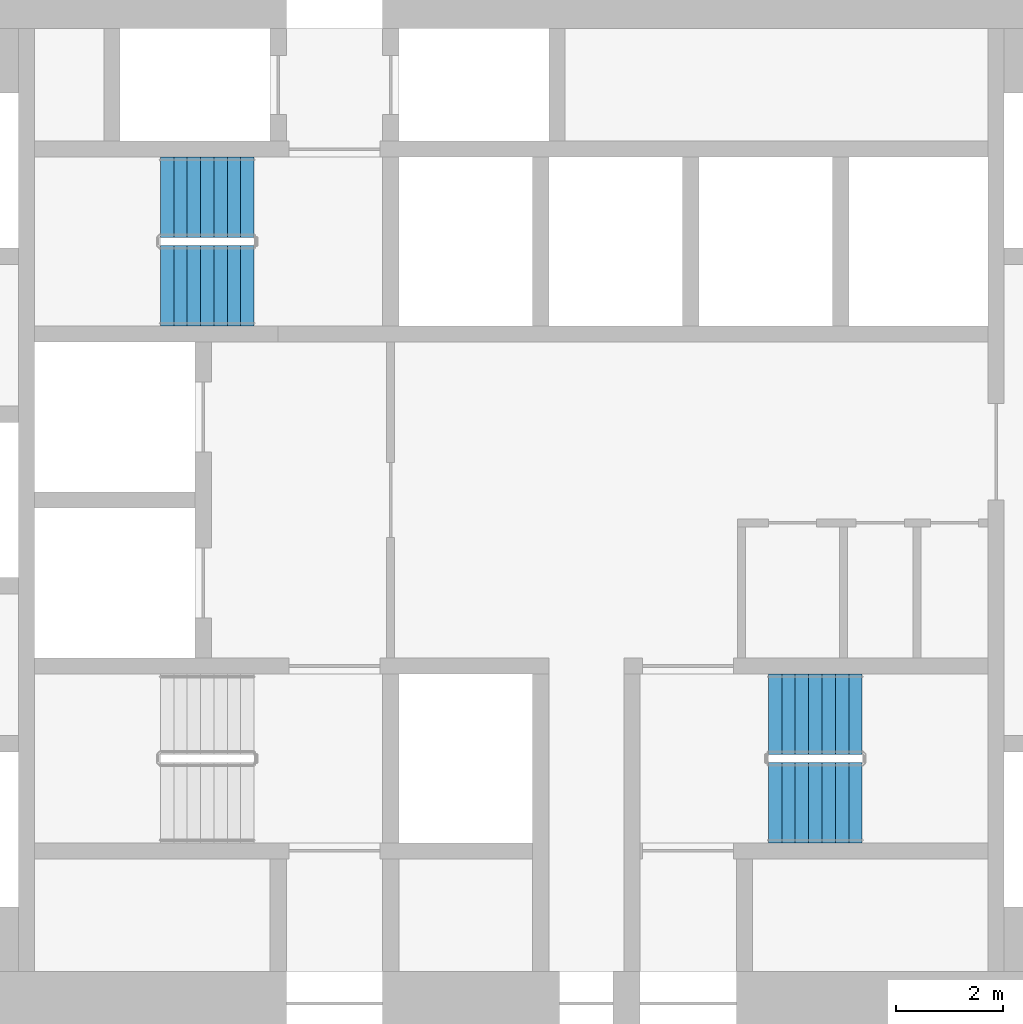
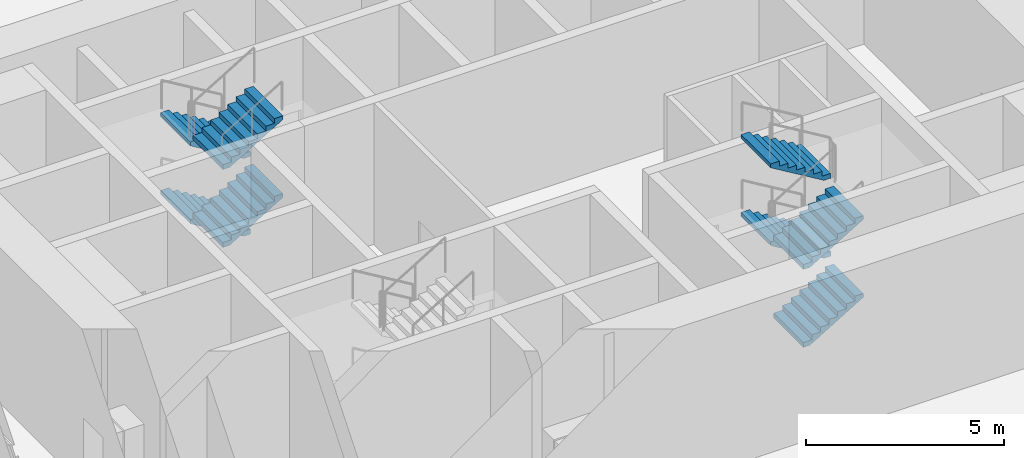
# One storey, part 10 of 11: 8 stair flights, 2 elements without a shape of their own.
"""IFC4 building model written with IfcOpenShell, lengths in metres."""

from ifc_helpers import new_model, si_unit, direction, frame, origin, place, context, subcontext, project, spatial, polyline, outline, extrude, material, type_object, element, aggregate, save


model = new_model("IFC4")

# Units and contexts
model_context = context("Model", 3, precision=1e-05, world=origin(), true_north=direction((0.0, 1.0)))
body_context = subcontext(model_context, "Body", "Model", "MODEL_VIEW")
ifc_project = project(units=[si_unit("LENGTHUNIT", "METRE"), si_unit("AREAUNIT", "SQUARE_METRE"), si_unit("VOLUMEUNIT", "CUBIC_METRE"), si_unit("PLANEANGLEUNIT", "RADIAN"), si_unit("MASSUNIT", "GRAM", prefix="KILO")], contexts=[model_context])

# Site, building, storey
site_placement = place(None, origin())
site = spatial("IfcSite", under=ifc_project, at=site_placement, CompositionType="ELEMENT")
building_placement = place(site_placement, origin())
building = spatial("IfcBuilding", under=site, at=building_placement, Name="Tracery Tower", CompositionType="ELEMENT")
storey_placement = place(building_placement, frame((0.0, 0.0, 23.39990234375)))
storey = spatial("IfcBuildingStorey", under=building, at=storey_placement, Name="L04", CompositionType="ELEMENT", Elevation=23.39990234375)

# Stair, stair flights
ifc_material_1 = material(Name="Concrete C32/40", Category="concrete")
stair_type = type_object("IfcStairType", Name="Core stair 32 risers", PredefinedType="HALF_TURN_STAIR", material=ifc_material_1)
stair_1_placement = place(storey_placement, origin())
stair_1 = element("IfcStair", 1, at=stair_1_placement, inside=storey, type_object=stair_type, Name="L04 stair ST3", PredefinedType="HALF_TURN_STAIR")
ifc_material_2 = material(Name="Concrete C32/40", Category="concrete")
stair_flight_type = type_object("IfcStairFlightType", Name="Core stair flight 8 risers", PredefinedType="STRAIGHT", material=ifc_material_2)
stair_flight_1_placement = place(storey_placement, frame((-4.800048828125, 5.64990234375, 0.0), z_axis=(0.0, 0.0, 1.0), x_axis=(-1.0, 0.0, 0.0)))
stair_flight_1 = element("IfcStairFlight", 2, at=stair_flight_1_placement, type_object=stair_flight_type, Name="ST3 flight 1", NumberOfRisers=8, NumberOfTreads=7, PredefinedType="STRAIGHT", RiserHeight=0.15, TreadLength=0.25, context=body_context, shape_type="SweptSolid", body=[
    extrude(outline(polyline([(0.0, 0.0), (0.0, 0.00244140625), (0.0, 0.0048828125), (0.0, 0.00732421875), (0.0, 0.009765625), (0.0, 0.01220703125), (0.0, 0.0146484375), (0.0, 0.017333984375), (0.0, 0.019775390625), (0.0, 0.022216796875), (0.0, 0.024658203125), (0.0, 0.027099609375), (0.0, 0.029541015625), (0.0, 0.031982421875), (0.0, 0.034423828125), (0.0, 0.036865234375), (0.0, 0.039306640625), (0.0, 0.041748046875), (0.0, 0.044189453125), (0.0, 0.046630859375), (0.0, 0.049072265625), (0.0, 0.0517578125), (0.0, 0.05419921875), (0.0, 0.056640625), (0.0, 0.05908203125), (0.0, 0.0615234375), (0.0, 0.06396484375), (0.0, 0.06640625), (0.0, 0.06884765625), (0.0, 0.0712890625), (0.0, 0.07373046875), (0.0, 0.076171875), (0.0, 0.07861328125), (0.0, 0.0810546875), (0.0, 0.08349609375), (0.0, 0.086181640625), (0.0, 0.088623046875), (0.0, 0.091064453125), (0.0, 0.093505859375), (0.0, 0.095947265625), (0.0, 0.098388671875), (0.0, 0.100830078125), (0.0, 0.103271484375), (0.0, 0.105712890625), (0.0, 0.108154296875), (0.0, 0.110595703125), (0.0, 0.113037109375), (0.0, 0.115478515625), (0.0, 0.117919921875), (0.0, 0.12060546875), (0.0, 0.123046875), (0.0, 0.12548828125), (0.0, 0.1279296875), (0.0, 0.13037109375), (0.0, 0.1328125), (0.0, 0.13525390625), (0.0, 0.1376953125), (0.0, 0.14013671875), (0.0, 0.142578125), (0.0, 0.14501953125), (0.0, 0.1474609375), (0.0, 0.14990234375), (0.25, 0.14990234375), (0.25, 0.300048828125), (0.5, 0.300048828125), (0.5, 0.449951171875), (0.75, 0.449951171875), (0.75, 0.60009765625), (1.0, 0.60009765625), (1.0, 0.75), (1.25, 0.75), (1.25, 0.89990234375), (1.5, 0.89990234375), (1.5, 1.050048828125), (1.75, 1.050048828125), (1.75, 1.048095703125), (1.75, 1.046142578125), (1.75, 1.044189453125), (1.75, 1.042236328125), (1.75, 1.04052734375), (1.75, 1.03857421875), (1.75, 1.03662109375), (1.75, 1.03466796875), (1.75, 1.03271484375), (1.75, 1.03076171875), (1.75, 1.029052734375), (1.75, 1.027099609375), (1.75, 1.025146484375), (1.75, 1.023193359375), (1.75, 1.021240234375), (1.75, 1.019287109375), (1.75, 1.017578125), (1.75, 1.015625), (1.75, 1.013671875), (1.75, 1.01171875), (1.75, 1.009765625), (1.75, 1.0078125), (1.75, 1.006103515625), (1.75, 1.004150390625), (1.75, 1.002197265625), (1.75, 1.000244140625), (1.75, 0.998291015625), (1.75, 0.996337890625), (1.75, 0.994384765625), (1.75, 0.99267578125), (1.75, 0.99072265625), (1.75, 0.98876953125), (1.75, 0.98681640625), (1.75, 0.98486328125), (1.75, 0.98291015625), (1.75, 0.981201171875), (1.75, 0.979248046875), (1.75, 0.977294921875), (1.75, 0.975341796875), (1.75, 0.973388671875), (1.75, 0.971435546875), (1.75, 0.9697265625), (1.75, 0.9677734375), (1.75, 0.9658203125), (1.75, 0.9638671875), (1.75, 0.9619140625), (1.75, 0.9599609375), (1.75, 0.958251953125), (1.75, 0.956298828125), (1.75, 0.954345703125), (1.75, 0.952392578125), (1.75, 0.950439453125), (1.75, 0.948486328125), (1.75, 0.94677734375), (1.75, 0.94482421875), (1.75, 0.94287109375), (1.75, 0.94091796875), (1.75, 0.93896484375), (1.75, 0.93701171875), (1.75, 0.935302734375), (1.75, 0.933349609375), (0.194580078125, 0.0), (0.0, 0.0)])), frame((0.0, 0.75, 0.0), z_axis=(0.0, -1.0, 0.0), x_axis=(1.0, 0.0, 0.0)), (0.0, 0.0, 1.0), 1.5),
])
stair_flight_2_placement = place(storey_placement, frame((-6.550048828125, 4.0, 1.2001953125), z_axis=(0.0, 0.0, 1.0), x_axis=(1.0, 0.0, 0.0)))
stair_flight_2 = element("IfcStairFlight", 3, at=stair_flight_2_placement, type_object=stair_flight_type, Name="ST3 flight 2", NumberOfRisers=8, NumberOfTreads=7, PredefinedType="STRAIGHT", RiserHeight=0.15, TreadLength=0.25, context=body_context, shape_type="SweptSolid", body=[
    extrude(outline(polyline([(0.0, 0.0), (0.0, 0.00244140625), (0.0, 0.0048828125), (0.0, 0.00732421875), (0.0, 0.009765625), (0.0, 0.01220703125), (0.0, 0.0146484375), (0.0, 0.017333984375), (0.0, 0.019775390625), (0.0, 0.022216796875), (0.0, 0.024658203125), (0.0, 0.027099609375), (0.0, 0.029541015625), (0.0, 0.031982421875), (0.0, 0.034423828125), (0.0, 0.036865234375), (0.0, 0.039306640625), (0.0, 0.041748046875), (0.0, 0.044189453125), (0.0, 0.046630859375), (0.0, 0.049072265625), (0.0, 0.0517578125), (0.0, 0.05419921875), (0.0, 0.056640625), (0.0, 0.05908203125), (0.0, 0.0615234375), (0.0, 0.06396484375), (0.0, 0.06640625), (0.0, 0.06884765625), (0.0, 0.0712890625), (0.0, 0.07373046875), (0.0, 0.076171875), (0.0, 0.07861328125), (0.0, 0.0810546875), (0.0, 0.08349609375), (0.0, 0.086181640625), (0.0, 0.088623046875), (0.0, 0.091064453125), (0.0, 0.093505859375), (0.0, 0.095947265625), (0.0, 0.098388671875), (0.0, 0.100830078125), (0.0, 0.103271484375), (0.0, 0.105712890625), (0.0, 0.108154296875), (0.0, 0.110595703125), (0.0, 0.113037109375), (0.0, 0.115478515625), (0.0, 0.117919921875), (0.0, 0.12060546875), (0.0, 0.123046875), (0.0, 0.12548828125), (0.0, 0.1279296875), (0.0, 0.13037109375), (0.0, 0.1328125), (0.0, 0.13525390625), (0.0, 0.1376953125), (0.0, 0.14013671875), (0.0, 0.142578125), (0.0, 0.14501953125), (0.0, 0.1474609375), (0.0, 0.14990234375), (0.25, 0.14990234375), (0.25, 0.300048828125), (0.5, 0.300048828125), (0.5, 0.449951171875), (0.75, 0.449951171875), (0.75, 0.60009765625), (1.0, 0.60009765625), (1.0, 0.75), (1.25, 0.75), (1.25, 0.89990234375), (1.5, 0.89990234375), (1.5, 1.050048828125), (1.75, 1.050048828125), (1.75, 1.048095703125), (1.75, 1.046142578125), (1.75, 1.044189453125), (1.75, 1.042236328125), (1.75, 1.04052734375), (1.75, 1.03857421875), (1.75, 1.03662109375), (1.75, 1.03466796875), (1.75, 1.03271484375), (1.75, 1.03076171875), (1.75, 1.029052734375), (1.75, 1.027099609375), (1.75, 1.025146484375), (1.75, 1.023193359375), (1.75, 1.021240234375), (1.75, 1.019287109375), (1.75, 1.017578125), (1.75, 1.015625), (1.75, 1.013671875), (1.75, 1.01171875), (1.75, 1.009765625), (1.75, 1.0078125), (1.75, 1.006103515625), (1.75, 1.004150390625), (1.75, 1.002197265625), (1.75, 1.000244140625), (1.75, 0.998291015625), (1.75, 0.996337890625), (1.75, 0.994384765625), (1.75, 0.99267578125), (1.75, 0.99072265625), (1.75, 0.98876953125), (1.75, 0.98681640625), (1.75, 0.98486328125), (1.75, 0.98291015625), (1.75, 0.981201171875), (1.75, 0.979248046875), (1.75, 0.977294921875), (1.75, 0.975341796875), (1.75, 0.973388671875), (1.75, 0.971435546875), (1.75, 0.9697265625), (1.75, 0.9677734375), (1.75, 0.9658203125), (1.75, 0.9638671875), (1.75, 0.9619140625), (1.75, 0.9599609375), (1.75, 0.958251953125), (1.75, 0.956298828125), (1.75, 0.954345703125), (1.75, 0.952392578125), (1.75, 0.950439453125), (1.75, 0.948486328125), (1.75, 0.94677734375), (1.75, 0.94482421875), (1.75, 0.94287109375), (1.75, 0.94091796875), (1.75, 0.93896484375), (1.75, 0.93701171875), (1.75, 0.935302734375), (1.75, 0.933349609375), (0.194580078125, 0.0), (0.0, 0.0)])), frame((0.0, 0.75, 0.0), z_axis=(0.0, -1.0, 0.0), x_axis=(1.0, 0.0, 0.0)), (0.0, 0.0, 1.0), 1.5),
])
stair_flight_3_placement = place(storey_placement, frame((-4.800048828125, 5.64990234375, 2.400146484375), z_axis=(0.0, 0.0, 1.0), x_axis=(-1.0, 0.0, 0.0)))
stair_flight_3 = element("IfcStairFlight", 4, at=stair_flight_3_placement, type_object=stair_flight_type, Name="ST3 flight 3", NumberOfRisers=8, NumberOfTreads=7, PredefinedType="STRAIGHT", RiserHeight=0.15, TreadLength=0.25, context=body_context, shape_type="SweptSolid", body=[
    extrude(outline(polyline([(0.0, 0.0), (0.0, 0.00244140625), (0.0, 0.0048828125), (0.0, 0.00732421875), (0.0, 0.009765625), (0.0, 0.01220703125), (0.0, 0.0146484375), (0.0, 0.017333984375), (0.0, 0.019775390625), (0.0, 0.022216796875), (0.0, 0.024658203125), (0.0, 0.027099609375), (0.0, 0.029541015625), (0.0, 0.031982421875), (0.0, 0.034423828125), (0.0, 0.036865234375), (0.0, 0.039306640625), (0.0, 0.041748046875), (0.0, 0.044189453125), (0.0, 0.046630859375), (0.0, 0.049072265625), (0.0, 0.0517578125), (0.0, 0.05419921875), (0.0, 0.056640625), (0.0, 0.05908203125), (0.0, 0.0615234375), (0.0, 0.06396484375), (0.0, 0.06640625), (0.0, 0.06884765625), (0.0, 0.0712890625), (0.0, 0.07373046875), (0.0, 0.076171875), (0.0, 0.07861328125), (0.0, 0.0810546875), (0.0, 0.08349609375), (0.0, 0.086181640625), (0.0, 0.088623046875), (0.0, 0.091064453125), (0.0, 0.093505859375), (0.0, 0.095947265625), (0.0, 0.098388671875), (0.0, 0.100830078125), (0.0, 0.103271484375), (0.0, 0.105712890625), (0.0, 0.108154296875), (0.0, 0.110595703125), (0.0, 0.113037109375), (0.0, 0.115478515625), (0.0, 0.117919921875), (0.0, 0.12060546875), (0.0, 0.123046875), (0.0, 0.12548828125), (0.0, 0.1279296875), (0.0, 0.13037109375), (0.0, 0.1328125), (0.0, 0.13525390625), (0.0, 0.1376953125), (0.0, 0.14013671875), (0.0, 0.142578125), (0.0, 0.14501953125), (0.0, 0.1474609375), (0.0, 0.14990234375), (0.25, 0.14990234375), (0.25, 0.300048828125), (0.5, 0.300048828125), (0.5, 0.449951171875), (0.75, 0.449951171875), (0.75, 0.60009765625), (1.0, 0.60009765625), (1.0, 0.75), (1.25, 0.75), (1.25, 0.89990234375), (1.5, 0.89990234375), (1.5, 1.050048828125), (1.75, 1.050048828125), (1.75, 1.048095703125), (1.75, 1.046142578125), (1.75, 1.044189453125), (1.75, 1.042236328125), (1.75, 1.04052734375), (1.75, 1.03857421875), (1.75, 1.03662109375), (1.75, 1.03466796875), (1.75, 1.03271484375), (1.75, 1.03076171875), (1.75, 1.029052734375), (1.75, 1.027099609375), (1.75, 1.025146484375), (1.75, 1.023193359375), (1.75, 1.021240234375), (1.75, 1.019287109375), (1.75, 1.017578125), (1.75, 1.015625), (1.75, 1.013671875), (1.75, 1.01171875), (1.75, 1.009765625), (1.75, 1.0078125), (1.75, 1.006103515625), (1.75, 1.004150390625), (1.75, 1.002197265625), (1.75, 1.000244140625), (1.75, 0.998291015625), (1.75, 0.996337890625), (1.75, 0.994384765625), (1.75, 0.99267578125), (1.75, 0.99072265625), (1.75, 0.98876953125), (1.75, 0.98681640625), (1.75, 0.98486328125), (1.75, 0.98291015625), (1.75, 0.981201171875), (1.75, 0.979248046875), (1.75, 0.977294921875), (1.75, 0.975341796875), (1.75, 0.973388671875), (1.75, 0.971435546875), (1.75, 0.9697265625), (1.75, 0.9677734375), (1.75, 0.9658203125), (1.75, 0.9638671875), (1.75, 0.9619140625), (1.75, 0.9599609375), (1.75, 0.958251953125), (1.75, 0.956298828125), (1.75, 0.954345703125), (1.75, 0.952392578125), (1.75, 0.950439453125), (1.75, 0.948486328125), (1.75, 0.94677734375), (1.75, 0.94482421875), (1.75, 0.94287109375), (1.75, 0.94091796875), (1.75, 0.93896484375), (1.75, 0.93701171875), (1.75, 0.935302734375), (1.75, 0.933349609375), (0.194580078125, 0.0), (0.0, 0.0)])), frame((0.0, 0.75, 0.0), z_axis=(0.0, -1.0, 0.0), x_axis=(1.0, 0.0, 0.0)), (0.0, 0.0, 1.0), 1.5),
])
stair_flight_4_placement = place(storey_placement, frame((-6.550048828125, 4.0, 3.60009765625), z_axis=(0.0, 0.0, 1.0), x_axis=(1.0, 0.0, 0.0)))
stair_flight_4 = element("IfcStairFlight", 5, at=stair_flight_4_placement, type_object=stair_flight_type, Name="ST3 flight 4", NumberOfRisers=8, NumberOfTreads=7, PredefinedType="STRAIGHT", RiserHeight=0.15, TreadLength=0.25, context=body_context, shape_type="SweptSolid", body=[
    extrude(outline(polyline([(0.0, 0.0), (0.0, 0.00244140625), (0.0, 0.0048828125), (0.0, 0.00732421875), (0.0, 0.009765625), (0.0, 0.01220703125), (0.0, 0.0146484375), (0.0, 0.017333984375), (0.0, 0.019775390625), (0.0, 0.022216796875), (0.0, 0.024658203125), (0.0, 0.027099609375), (0.0, 0.029541015625), (0.0, 0.031982421875), (0.0, 0.034423828125), (0.0, 0.036865234375), (0.0, 0.039306640625), (0.0, 0.041748046875), (0.0, 0.044189453125), (0.0, 0.046630859375), (0.0, 0.049072265625), (0.0, 0.0517578125), (0.0, 0.05419921875), (0.0, 0.056640625), (0.0, 0.05908203125), (0.0, 0.0615234375), (0.0, 0.06396484375), (0.0, 0.06640625), (0.0, 0.06884765625), (0.0, 0.0712890625), (0.0, 0.07373046875), (0.0, 0.076171875), (0.0, 0.07861328125), (0.0, 0.0810546875), (0.0, 0.08349609375), (0.0, 0.086181640625), (0.0, 0.088623046875), (0.0, 0.091064453125), (0.0, 0.093505859375), (0.0, 0.095947265625), (0.0, 0.098388671875), (0.0, 0.100830078125), (0.0, 0.103271484375), (0.0, 0.105712890625), (0.0, 0.108154296875), (0.0, 0.110595703125), (0.0, 0.113037109375), (0.0, 0.115478515625), (0.0, 0.117919921875), (0.0, 0.12060546875), (0.0, 0.123046875), (0.0, 0.12548828125), (0.0, 0.1279296875), (0.0, 0.13037109375), (0.0, 0.1328125), (0.0, 0.13525390625), (0.0, 0.1376953125), (0.0, 0.14013671875), (0.0, 0.142578125), (0.0, 0.14501953125), (0.0, 0.1474609375), (0.0, 0.14990234375), (0.25, 0.14990234375), (0.25, 0.300048828125), (0.5, 0.300048828125), (0.5, 0.449951171875), (0.75, 0.449951171875), (0.75, 0.60009765625), (1.0, 0.60009765625), (1.0, 0.75), (1.25, 0.75), (1.25, 0.89990234375), (1.5, 0.89990234375), (1.5, 1.050048828125), (1.75, 1.050048828125), (1.75, 1.048095703125), (1.75, 1.046142578125), (1.75, 1.044189453125), (1.75, 1.042236328125), (1.75, 1.04052734375), (1.75, 1.03857421875), (1.75, 1.03662109375), (1.75, 1.03466796875), (1.75, 1.03271484375), (1.75, 1.03076171875), (1.75, 1.029052734375), (1.75, 1.027099609375), (1.75, 1.025146484375), (1.75, 1.023193359375), (1.75, 1.021240234375), (1.75, 1.019287109375), (1.75, 1.017578125), (1.75, 1.015625), (1.75, 1.013671875), (1.75, 1.01171875), (1.75, 1.009765625), (1.75, 1.0078125), (1.75, 1.006103515625), (1.75, 1.004150390625), (1.75, 1.002197265625), (1.75, 1.000244140625), (1.75, 0.998291015625), (1.75, 0.996337890625), (1.75, 0.994384765625), (1.75, 0.99267578125), (1.75, 0.99072265625), (1.75, 0.98876953125), (1.75, 0.98681640625), (1.75, 0.98486328125), (1.75, 0.98291015625), (1.75, 0.981201171875), (1.75, 0.979248046875), (1.75, 0.977294921875), (1.75, 0.975341796875), (1.75, 0.973388671875), (1.75, 0.971435546875), (1.75, 0.9697265625), (1.75, 0.9677734375), (1.75, 0.9658203125), (1.75, 0.9638671875), (1.75, 0.9619140625), (1.75, 0.9599609375), (1.75, 0.958251953125), (1.75, 0.956298828125), (1.75, 0.954345703125), (1.75, 0.952392578125), (1.75, 0.950439453125), (1.75, 0.948486328125), (1.75, 0.94677734375), (1.75, 0.94482421875), (1.75, 0.94287109375), (1.75, 0.94091796875), (1.75, 0.93896484375), (1.75, 0.93701171875), (1.75, 0.935302734375), (1.75, 0.933349609375), (0.194580078125, 0.0), (0.0, 0.0)])), frame((0.0, 0.75, 0.0), z_axis=(0.0, -1.0, 0.0), x_axis=(1.0, 0.0, 0.0)), (0.0, 0.0, 1.0), 1.5),
])
aggregate(stair_1, [stair_flight_1, stair_flight_2, stair_flight_3, stair_flight_4])

stair_2_placement = place(storey_placement, origin())
stair_2 = element("IfcStair", 6, at=stair_2_placement, inside=storey, type_object=stair_type, Name="L04 stair ST2", PredefinedType="HALF_TURN_STAIR")
stair_flight_5_placement = place(storey_placement, frame((4.800048828125, -5.64990234375, 0.0), z_axis=(0.0, 0.0, 1.0), x_axis=(1.0, 0.0, 0.0)))
stair_flight_5 = element("IfcStairFlight", 7, at=stair_flight_5_placement, type_object=stair_flight_type, Name="ST2 flight 1", NumberOfRisers=8, NumberOfTreads=7, PredefinedType="STRAIGHT", RiserHeight=0.15, TreadLength=0.25, context=body_context, shape_type="SweptSolid", body=[
    extrude(outline(polyline([(0.0, 0.0), (0.0, 0.00244140625), (0.0, 0.0048828125), (0.0, 0.00732421875), (0.0, 0.009765625), (0.0, 0.01220703125), (0.0, 0.0146484375), (0.0, 0.017333984375), (0.0, 0.019775390625), (0.0, 0.022216796875), (0.0, 0.024658203125), (0.0, 0.027099609375), (0.0, 0.029541015625), (0.0, 0.031982421875), (0.0, 0.034423828125), (0.0, 0.036865234375), (0.0, 0.039306640625), (0.0, 0.041748046875), (0.0, 0.044189453125), (0.0, 0.046630859375), (0.0, 0.049072265625), (0.0, 0.0517578125), (0.0, 0.05419921875), (0.0, 0.056640625), (0.0, 0.05908203125), (0.0, 0.0615234375), (0.0, 0.06396484375), (0.0, 0.06640625), (0.0, 0.06884765625), (0.0, 0.0712890625), (0.0, 0.07373046875), (0.0, 0.076171875), (0.0, 0.07861328125), (0.0, 0.0810546875), (0.0, 0.08349609375), (0.0, 0.086181640625), (0.0, 0.088623046875), (0.0, 0.091064453125), (0.0, 0.093505859375), (0.0, 0.095947265625), (0.0, 0.098388671875), (0.0, 0.100830078125), (0.0, 0.103271484375), (0.0, 0.105712890625), (0.0, 0.108154296875), (0.0, 0.110595703125), (0.0, 0.113037109375), (0.0, 0.115478515625), (0.0, 0.117919921875), (0.0, 0.12060546875), (0.0, 0.123046875), (0.0, 0.12548828125), (0.0, 0.1279296875), (0.0, 0.13037109375), (0.0, 0.1328125), (0.0, 0.13525390625), (0.0, 0.1376953125), (0.0, 0.14013671875), (0.0, 0.142578125), (0.0, 0.14501953125), (0.0, 0.1474609375), (0.0, 0.14990234375), (0.25, 0.14990234375), (0.25, 0.300048828125), (0.5, 0.300048828125), (0.5, 0.449951171875), (0.75, 0.449951171875), (0.75, 0.60009765625), (1.0, 0.60009765625), (1.0, 0.75), (1.25, 0.75), (1.25, 0.89990234375), (1.5, 0.89990234375), (1.5, 1.050048828125), (1.75, 1.050048828125), (1.75, 1.048095703125), (1.75, 1.046142578125), (1.75, 1.044189453125), (1.75, 1.042236328125), (1.75, 1.04052734375), (1.75, 1.03857421875), (1.75, 1.03662109375), (1.75, 1.03466796875), (1.75, 1.03271484375), (1.75, 1.03076171875), (1.75, 1.029052734375), (1.75, 1.027099609375), (1.75, 1.025146484375), (1.75, 1.023193359375), (1.75, 1.021240234375), (1.75, 1.019287109375), (1.75, 1.017578125), (1.75, 1.015625), (1.75, 1.013671875), (1.75, 1.01171875), (1.75, 1.009765625), (1.75, 1.0078125), (1.75, 1.006103515625), (1.75, 1.004150390625), (1.75, 1.002197265625), (1.75, 1.000244140625), (1.75, 0.998291015625), (1.75, 0.996337890625), (1.75, 0.994384765625), (1.75, 0.99267578125), (1.75, 0.99072265625), (1.75, 0.98876953125), (1.75, 0.98681640625), (1.75, 0.98486328125), (1.75, 0.98291015625), (1.75, 0.981201171875), (1.75, 0.979248046875), (1.75, 0.977294921875), (1.75, 0.975341796875), (1.75, 0.973388671875), (1.75, 0.971435546875), (1.75, 0.9697265625), (1.75, 0.9677734375), (1.75, 0.9658203125), (1.75, 0.9638671875), (1.75, 0.9619140625), (1.75, 0.9599609375), (1.75, 0.958251953125), (1.75, 0.956298828125), (1.75, 0.954345703125), (1.75, 0.952392578125), (1.75, 0.950439453125), (1.75, 0.948486328125), (1.75, 0.94677734375), (1.75, 0.94482421875), (1.75, 0.94287109375), (1.75, 0.94091796875), (1.75, 0.93896484375), (1.75, 0.93701171875), (1.75, 0.935302734375), (1.75, 0.933349609375), (0.194580078125, 0.0), (0.0, 0.0)])), frame((0.0, 0.75, 0.0), z_axis=(0.0, -1.0, 0.0), x_axis=(1.0, 0.0, 0.0)), (0.0, 0.0, 1.0), 1.5),
])
stair_flight_6_placement = place(storey_placement, frame((6.550048828125, -4.0, 1.2001953125), z_axis=(0.0, 0.0, 1.0), x_axis=(-1.0, 0.0, 0.0)))
stair_flight_6 = element("IfcStairFlight", 8, at=stair_flight_6_placement, type_object=stair_flight_type, Name="ST2 flight 2", NumberOfRisers=8, NumberOfTreads=7, PredefinedType="STRAIGHT", RiserHeight=0.15, TreadLength=0.25, context=body_context, shape_type="SweptSolid", body=[
    extrude(outline(polyline([(0.0, 0.0), (0.0, 0.00244140625), (0.0, 0.0048828125), (0.0, 0.00732421875), (0.0, 0.009765625), (0.0, 0.01220703125), (0.0, 0.0146484375), (0.0, 0.017333984375), (0.0, 0.019775390625), (0.0, 0.022216796875), (0.0, 0.024658203125), (0.0, 0.027099609375), (0.0, 0.029541015625), (0.0, 0.031982421875), (0.0, 0.034423828125), (0.0, 0.036865234375), (0.0, 0.039306640625), (0.0, 0.041748046875), (0.0, 0.044189453125), (0.0, 0.046630859375), (0.0, 0.049072265625), (0.0, 0.0517578125), (0.0, 0.05419921875), (0.0, 0.056640625), (0.0, 0.05908203125), (0.0, 0.0615234375), (0.0, 0.06396484375), (0.0, 0.06640625), (0.0, 0.06884765625), (0.0, 0.0712890625), (0.0, 0.07373046875), (0.0, 0.076171875), (0.0, 0.07861328125), (0.0, 0.0810546875), (0.0, 0.08349609375), (0.0, 0.086181640625), (0.0, 0.088623046875), (0.0, 0.091064453125), (0.0, 0.093505859375), (0.0, 0.095947265625), (0.0, 0.098388671875), (0.0, 0.100830078125), (0.0, 0.103271484375), (0.0, 0.105712890625), (0.0, 0.108154296875), (0.0, 0.110595703125), (0.0, 0.113037109375), (0.0, 0.115478515625), (0.0, 0.117919921875), (0.0, 0.12060546875), (0.0, 0.123046875), (0.0, 0.12548828125), (0.0, 0.1279296875), (0.0, 0.13037109375), (0.0, 0.1328125), (0.0, 0.13525390625), (0.0, 0.1376953125), (0.0, 0.14013671875), (0.0, 0.142578125), (0.0, 0.14501953125), (0.0, 0.1474609375), (0.0, 0.14990234375), (0.25, 0.14990234375), (0.25, 0.300048828125), (0.5, 0.300048828125), (0.5, 0.449951171875), (0.75, 0.449951171875), (0.75, 0.60009765625), (1.0, 0.60009765625), (1.0, 0.75), (1.25, 0.75), (1.25, 0.89990234375), (1.5, 0.89990234375), (1.5, 1.050048828125), (1.75, 1.050048828125), (1.75, 1.048095703125), (1.75, 1.046142578125), (1.75, 1.044189453125), (1.75, 1.042236328125), (1.75, 1.04052734375), (1.75, 1.03857421875), (1.75, 1.03662109375), (1.75, 1.03466796875), (1.75, 1.03271484375), (1.75, 1.03076171875), (1.75, 1.029052734375), (1.75, 1.027099609375), (1.75, 1.025146484375), (1.75, 1.023193359375), (1.75, 1.021240234375), (1.75, 1.019287109375), (1.75, 1.017578125), (1.75, 1.015625), (1.75, 1.013671875), (1.75, 1.01171875), (1.75, 1.009765625), (1.75, 1.0078125), (1.75, 1.006103515625), (1.75, 1.004150390625), (1.75, 1.002197265625), (1.75, 1.000244140625), (1.75, 0.998291015625), (1.75, 0.996337890625), (1.75, 0.994384765625), (1.75, 0.99267578125), (1.75, 0.99072265625), (1.75, 0.98876953125), (1.75, 0.98681640625), (1.75, 0.98486328125), (1.75, 0.98291015625), (1.75, 0.981201171875), (1.75, 0.979248046875), (1.75, 0.977294921875), (1.75, 0.975341796875), (1.75, 0.973388671875), (1.75, 0.971435546875), (1.75, 0.9697265625), (1.75, 0.9677734375), (1.75, 0.9658203125), (1.75, 0.9638671875), (1.75, 0.9619140625), (1.75, 0.9599609375), (1.75, 0.958251953125), (1.75, 0.956298828125), (1.75, 0.954345703125), (1.75, 0.952392578125), (1.75, 0.950439453125), (1.75, 0.948486328125), (1.75, 0.94677734375), (1.75, 0.94482421875), (1.75, 0.94287109375), (1.75, 0.94091796875), (1.75, 0.93896484375), (1.75, 0.93701171875), (1.75, 0.935302734375), (1.75, 0.933349609375), (0.194580078125, 0.0), (0.0, 0.0)])), frame((0.0, 0.75, 0.0), z_axis=(0.0, -1.0, 0.0), x_axis=(1.0, 0.0, 0.0)), (0.0, 0.0, 1.0), 1.5),
])
stair_flight_7_placement = place(storey_placement, frame((4.800048828125, -5.64990234375, 2.400146484375), z_axis=(0.0, 0.0, 1.0), x_axis=(1.0, 0.0, 0.0)))
stair_flight_7 = element("IfcStairFlight", 9, at=stair_flight_7_placement, type_object=stair_flight_type, Name="ST2 flight 3", NumberOfRisers=8, NumberOfTreads=7, PredefinedType="STRAIGHT", RiserHeight=0.15, TreadLength=0.25, context=body_context, shape_type="SweptSolid", body=[
    extrude(outline(polyline([(0.0, 0.0), (0.0, 0.00244140625), (0.0, 0.0048828125), (0.0, 0.00732421875), (0.0, 0.009765625), (0.0, 0.01220703125), (0.0, 0.0146484375), (0.0, 0.017333984375), (0.0, 0.019775390625), (0.0, 0.022216796875), (0.0, 0.024658203125), (0.0, 0.027099609375), (0.0, 0.029541015625), (0.0, 0.031982421875), (0.0, 0.034423828125), (0.0, 0.036865234375), (0.0, 0.039306640625), (0.0, 0.041748046875), (0.0, 0.044189453125), (0.0, 0.046630859375), (0.0, 0.049072265625), (0.0, 0.0517578125), (0.0, 0.05419921875), (0.0, 0.056640625), (0.0, 0.05908203125), (0.0, 0.0615234375), (0.0, 0.06396484375), (0.0, 0.06640625), (0.0, 0.06884765625), (0.0, 0.0712890625), (0.0, 0.07373046875), (0.0, 0.076171875), (0.0, 0.07861328125), (0.0, 0.0810546875), (0.0, 0.08349609375), (0.0, 0.086181640625), (0.0, 0.088623046875), (0.0, 0.091064453125), (0.0, 0.093505859375), (0.0, 0.095947265625), (0.0, 0.098388671875), (0.0, 0.100830078125), (0.0, 0.103271484375), (0.0, 0.105712890625), (0.0, 0.108154296875), (0.0, 0.110595703125), (0.0, 0.113037109375), (0.0, 0.115478515625), (0.0, 0.117919921875), (0.0, 0.12060546875), (0.0, 0.123046875), (0.0, 0.12548828125), (0.0, 0.1279296875), (0.0, 0.13037109375), (0.0, 0.1328125), (0.0, 0.13525390625), (0.0, 0.1376953125), (0.0, 0.14013671875), (0.0, 0.142578125), (0.0, 0.14501953125), (0.0, 0.1474609375), (0.0, 0.14990234375), (0.25, 0.14990234375), (0.25, 0.300048828125), (0.5, 0.300048828125), (0.5, 0.449951171875), (0.75, 0.449951171875), (0.75, 0.60009765625), (1.0, 0.60009765625), (1.0, 0.75), (1.25, 0.75), (1.25, 0.89990234375), (1.5, 0.89990234375), (1.5, 1.050048828125), (1.75, 1.050048828125), (1.75, 1.048095703125), (1.75, 1.046142578125), (1.75, 1.044189453125), (1.75, 1.042236328125), (1.75, 1.04052734375), (1.75, 1.03857421875), (1.75, 1.03662109375), (1.75, 1.03466796875), (1.75, 1.03271484375), (1.75, 1.03076171875), (1.75, 1.029052734375), (1.75, 1.027099609375), (1.75, 1.025146484375), (1.75, 1.023193359375), (1.75, 1.021240234375), (1.75, 1.019287109375), (1.75, 1.017578125), (1.75, 1.015625), (1.75, 1.013671875), (1.75, 1.01171875), (1.75, 1.009765625), (1.75, 1.0078125), (1.75, 1.006103515625), (1.75, 1.004150390625), (1.75, 1.002197265625), (1.75, 1.000244140625), (1.75, 0.998291015625), (1.75, 0.996337890625), (1.75, 0.994384765625), (1.75, 0.99267578125), (1.75, 0.99072265625), (1.75, 0.98876953125), (1.75, 0.98681640625), (1.75, 0.98486328125), (1.75, 0.98291015625), (1.75, 0.981201171875), (1.75, 0.979248046875), (1.75, 0.977294921875), (1.75, 0.975341796875), (1.75, 0.973388671875), (1.75, 0.971435546875), (1.75, 0.9697265625), (1.75, 0.9677734375), (1.75, 0.9658203125), (1.75, 0.9638671875), (1.75, 0.9619140625), (1.75, 0.9599609375), (1.75, 0.958251953125), (1.75, 0.956298828125), (1.75, 0.954345703125), (1.75, 0.952392578125), (1.75, 0.950439453125), (1.75, 0.948486328125), (1.75, 0.94677734375), (1.75, 0.94482421875), (1.75, 0.94287109375), (1.75, 0.94091796875), (1.75, 0.93896484375), (1.75, 0.93701171875), (1.75, 0.935302734375), (1.75, 0.933349609375), (0.194580078125, 0.0), (0.0, 0.0)])), frame((0.0, 0.75, 0.0), z_axis=(0.0, -1.0, 0.0), x_axis=(1.0, 0.0, 0.0)), (0.0, 0.0, 1.0), 1.5),
])
stair_flight_8_placement = place(storey_placement, frame((6.550048828125, -4.0, 3.60009765625), z_axis=(0.0, 0.0, 1.0), x_axis=(-1.0, 0.0, 0.0)))
stair_flight_8 = element("IfcStairFlight", 10, at=stair_flight_8_placement, type_object=stair_flight_type, Name="ST2 flight 4", NumberOfRisers=8, NumberOfTreads=7, PredefinedType="STRAIGHT", RiserHeight=0.15, TreadLength=0.25, context=body_context, shape_type="SweptSolid", body=[
    extrude(outline(polyline([(0.0, 0.0), (0.0, 0.00244140625), (0.0, 0.0048828125), (0.0, 0.00732421875), (0.0, 0.009765625), (0.0, 0.01220703125), (0.0, 0.0146484375), (0.0, 0.017333984375), (0.0, 0.019775390625), (0.0, 0.022216796875), (0.0, 0.024658203125), (0.0, 0.027099609375), (0.0, 0.029541015625), (0.0, 0.031982421875), (0.0, 0.034423828125), (0.0, 0.036865234375), (0.0, 0.039306640625), (0.0, 0.041748046875), (0.0, 0.044189453125), (0.0, 0.046630859375), (0.0, 0.049072265625), (0.0, 0.0517578125), (0.0, 0.05419921875), (0.0, 0.056640625), (0.0, 0.05908203125), (0.0, 0.0615234375), (0.0, 0.06396484375), (0.0, 0.06640625), (0.0, 0.06884765625), (0.0, 0.0712890625), (0.0, 0.07373046875), (0.0, 0.076171875), (0.0, 0.07861328125), (0.0, 0.0810546875), (0.0, 0.08349609375), (0.0, 0.086181640625), (0.0, 0.088623046875), (0.0, 0.091064453125), (0.0, 0.093505859375), (0.0, 0.095947265625), (0.0, 0.098388671875), (0.0, 0.100830078125), (0.0, 0.103271484375), (0.0, 0.105712890625), (0.0, 0.108154296875), (0.0, 0.110595703125), (0.0, 0.113037109375), (0.0, 0.115478515625), (0.0, 0.117919921875), (0.0, 0.12060546875), (0.0, 0.123046875), (0.0, 0.12548828125), (0.0, 0.1279296875), (0.0, 0.13037109375), (0.0, 0.1328125), (0.0, 0.13525390625), (0.0, 0.1376953125), (0.0, 0.14013671875), (0.0, 0.142578125), (0.0, 0.14501953125), (0.0, 0.1474609375), (0.0, 0.14990234375), (0.25, 0.14990234375), (0.25, 0.300048828125), (0.5, 0.300048828125), (0.5, 0.449951171875), (0.75, 0.449951171875), (0.75, 0.60009765625), (1.0, 0.60009765625), (1.0, 0.75), (1.25, 0.75), (1.25, 0.89990234375), (1.5, 0.89990234375), (1.5, 1.050048828125), (1.75, 1.050048828125), (1.75, 1.048095703125), (1.75, 1.046142578125), (1.75, 1.044189453125), (1.75, 1.042236328125), (1.75, 1.04052734375), (1.75, 1.03857421875), (1.75, 1.03662109375), (1.75, 1.03466796875), (1.75, 1.03271484375), (1.75, 1.03076171875), (1.75, 1.029052734375), (1.75, 1.027099609375), (1.75, 1.025146484375), (1.75, 1.023193359375), (1.75, 1.021240234375), (1.75, 1.019287109375), (1.75, 1.017578125), (1.75, 1.015625), (1.75, 1.013671875), (1.75, 1.01171875), (1.75, 1.009765625), (1.75, 1.0078125), (1.75, 1.006103515625), (1.75, 1.004150390625), (1.75, 1.002197265625), (1.75, 1.000244140625), (1.75, 0.998291015625), (1.75, 0.996337890625), (1.75, 0.994384765625), (1.75, 0.99267578125), (1.75, 0.99072265625), (1.75, 0.98876953125), (1.75, 0.98681640625), (1.75, 0.98486328125), (1.75, 0.98291015625), (1.75, 0.981201171875), (1.75, 0.979248046875), (1.75, 0.977294921875), (1.75, 0.975341796875), (1.75, 0.973388671875), (1.75, 0.971435546875), (1.75, 0.9697265625), (1.75, 0.9677734375), (1.75, 0.9658203125), (1.75, 0.9638671875), (1.75, 0.9619140625), (1.75, 0.9599609375), (1.75, 0.958251953125), (1.75, 0.956298828125), (1.75, 0.954345703125), (1.75, 0.952392578125), (1.75, 0.950439453125), (1.75, 0.948486328125), (1.75, 0.94677734375), (1.75, 0.94482421875), (1.75, 0.94287109375), (1.75, 0.94091796875), (1.75, 0.93896484375), (1.75, 0.93701171875), (1.75, 0.935302734375), (1.75, 0.933349609375), (0.194580078125, 0.0), (0.0, 0.0)])), frame((0.0, 0.75, 0.0), z_axis=(0.0, -1.0, 0.0), x_axis=(1.0, 0.0, 0.0)), (0.0, 0.0, 1.0), 1.5),
])
aggregate(stair_2, [stair_flight_5, stair_flight_6, stair_flight_7, stair_flight_8])

save(model, "model.ifc")
